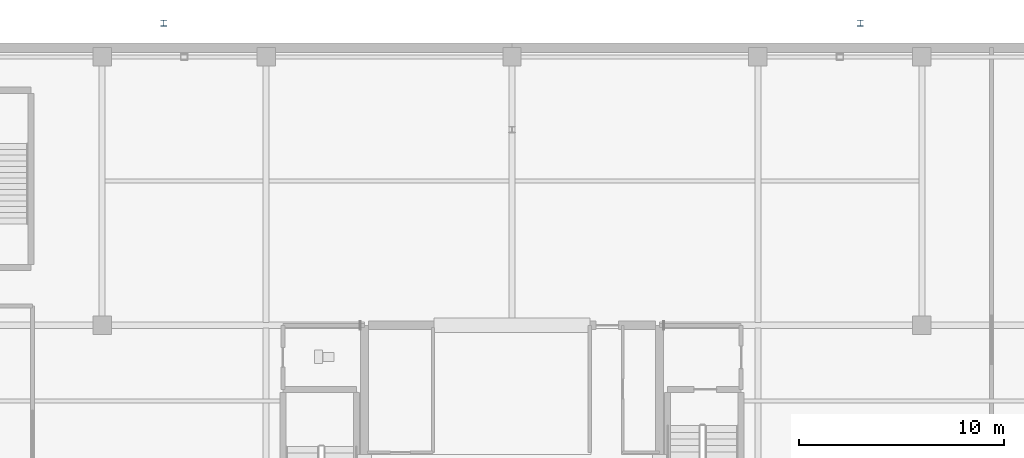
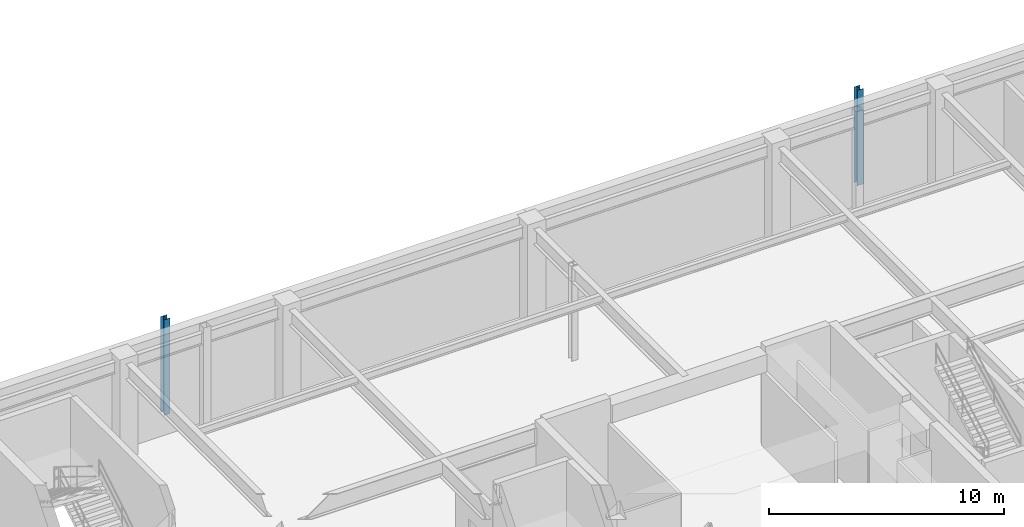
# One storey, part 6 of 16: 2 columns.
"""IFC4 building model written with IfcOpenShell, lengths in metres."""

from ifc_helpers import new_model, si_unit, direction, frame, origin, origin_2d, place, context, subcontext, project, spatial, i_section, extrude, material, material_profile, profile_set, type_object, element, save


model = new_model("IFC4")

# Units and contexts
model_context = context("Model", 3, precision=1e-05, world=origin(), true_north=direction((0.0, 1.0)))
body_context = subcontext(model_context, "Body", "Model", "MODEL_VIEW")
ifc_project = project(units=[si_unit("LENGTHUNIT", "METRE"), si_unit("AREAUNIT", "SQUARE_METRE"), si_unit("VOLUMEUNIT", "CUBIC_METRE"), si_unit("PLANEANGLEUNIT", "RADIAN"), si_unit("MASSUNIT", "GRAM", prefix="KILO")], contexts=[model_context])

# Site, building, storey
site_placement = place(None, origin())
site = spatial("IfcSite", under=ifc_project, at=site_placement, CompositionType="ELEMENT")
building_placement = place(site_placement, origin())
building = spatial("IfcBuilding", under=site, at=building_placement, Name="Veldorina Hangang Commons", CompositionType="ELEMENT")
storey_placement = place(building_placement, frame((0.0, 0.0, -5.199951171875)))
storey = spatial("IfcBuildingStorey", under=building, at=storey_placement, Name="B01", CompositionType="ELEMENT", Elevation=-5.199951171875)

# Columns
ifc_material = material(Name="Steel SM355-TMC", Category="steel")
ifc_material_profile = material_profile(ifc_material, i_section(OverallWidth=0.300048828125, OverallDepth=0.300048828125, WebThickness=0.010009765625, FlangeThickness=0.014892578125, FilletRadius=0.012939453125, at=origin_2d()), Name="H-300x300x10x15")
ifc_profile_set = profile_set([ifc_material_profile], Name="Steel SM355-TMC")
column_type = type_object("IfcColumnType", Name="COL-H300", PredefinedType="COLUMN", material=ifc_profile_set)
for number, where, z_axis, x_axis, name in (
    (1, (15.0, 46.199951171875, 0.0), (0.0, 0.0, 1.0), (1.0, 0.0, 0.0), "B01 walkway support pier NORTH1"),
    (2, (49.0, 46.199951171875, 0.0), (0.0, 0.0, 1.0), (1.0, 0.0, 0.0), "B01 walkway support pier NORTH2"),
):
    element("IfcColumn", number, at=place(storey_placement, frame(where, z_axis=z_axis, x_axis=x_axis)), inside=storey, type_object=column_type, Name=name, PredefinedType="COLUMN", context=body_context, shape_type="SweptSolid", body=[
        extrude(i_section(OverallWidth=0.300048828125, OverallDepth=0.300048828125, WebThickness=0.010009765625, FlangeThickness=0.014892578125, FilletRadius=0.012939453125, at=origin_2d()), origin(), (0.0, 0.0, 1.0), 4.949951171875),
    ])

save(model, "model.ifc")
